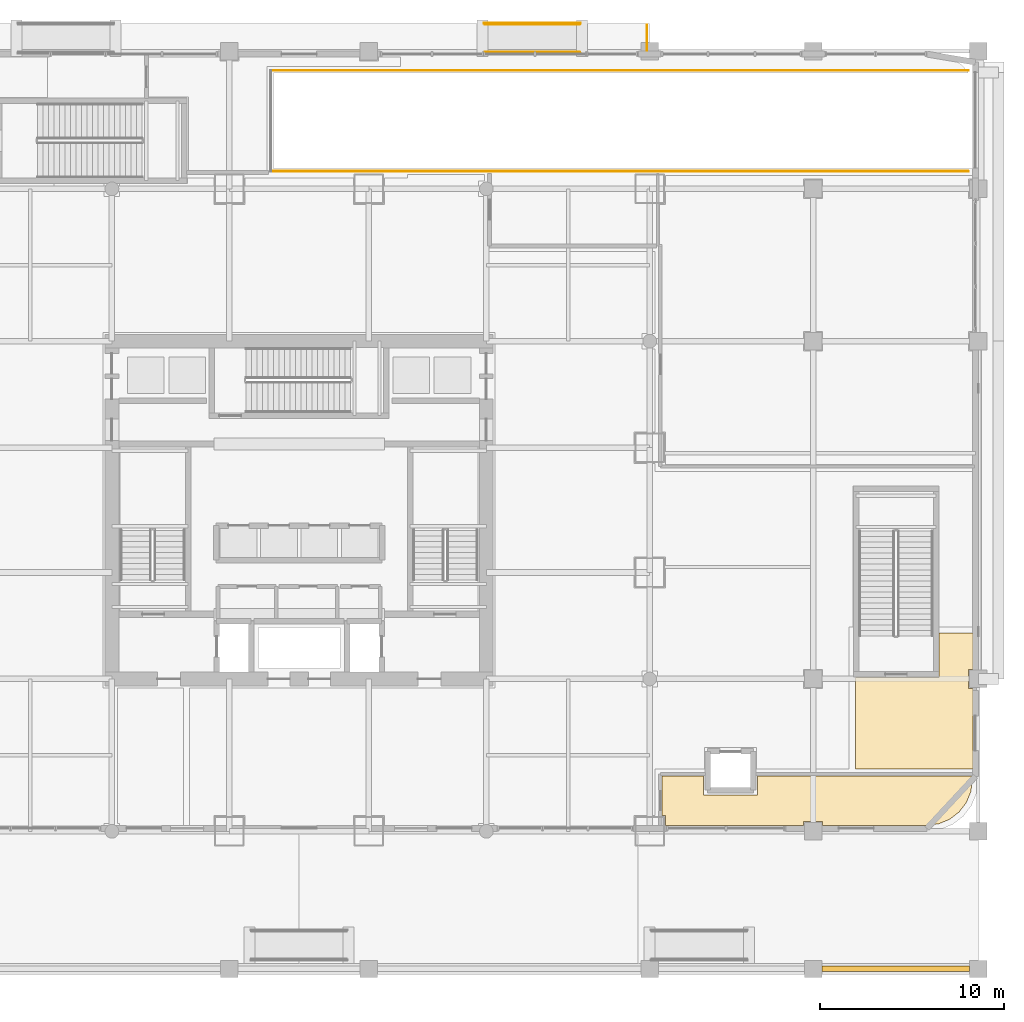
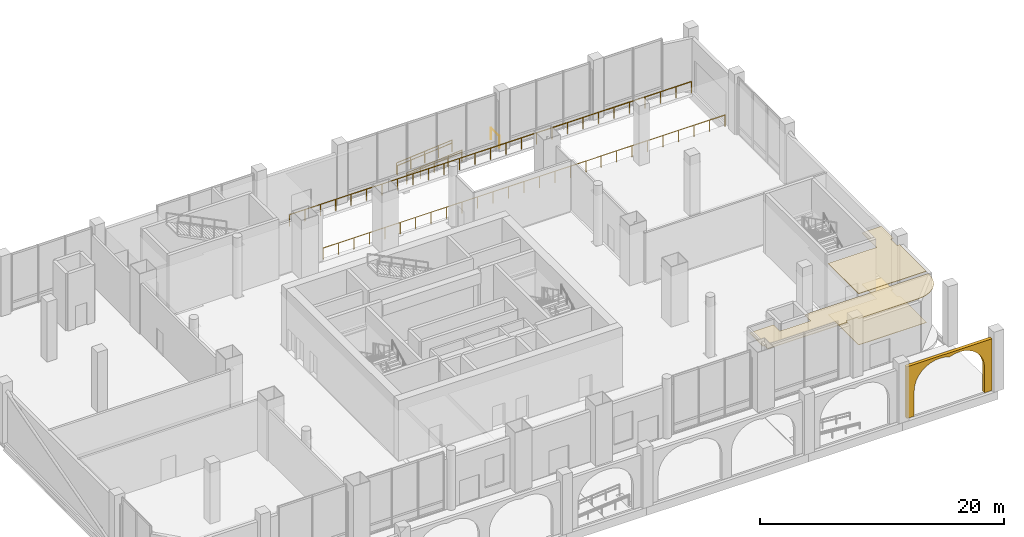
# One storey, part 30 of 32: 7 railings, 4 coverings.
"""IFC4 building model written with IfcOpenShell, lengths in metres."""

from ifc_helpers import new_model, si_unit, direction, frame, origin, origin_2d, place, context, subcontext, project, spatial, polyline, circle, outline, extrude, material, layer, layer_set, type_object, element, save


model = new_model("IFC4")

# Units and contexts
model_context = context("Model", 3, precision=1e-05, world=origin(), true_north=direction((0.0, 1.0)))
body_context = subcontext(model_context, "Body", "Model", "MODEL_VIEW")
ifc_project = project(units=[si_unit("LENGTHUNIT", "METRE"), si_unit("AREAUNIT", "SQUARE_METRE"), si_unit("VOLUMEUNIT", "CUBIC_METRE"), si_unit("PLANEANGLEUNIT", "RADIAN"), si_unit("MASSUNIT", "GRAM", prefix="KILO")], contexts=[model_context])

# Site, building, storey
site_placement = place(None, origin())
site = spatial("IfcSite", under=ifc_project, at=site_placement, CompositionType="ELEMENT")
building_placement = place(site_placement, origin())
building = spatial("IfcBuilding", under=site, at=building_placement, Name="Punatoya Terracotta Tower", CompositionType="ELEMENT")
storey_placement = place(building_placement, origin())
storey = spatial("IfcBuildingStorey", under=building, at=storey_placement, Name="L00", CompositionType="ELEMENT", Elevation=0.0)

# Coverings
ifc_material_1 = material(Name="Architectural Fired Terracotta Rainscreen", Category="masonry")
ifc_layer_1 = layer(ifc_material_1, 0.300048828125)
ifc_layer_set_1 = layer_set([ifc_layer_1], Name="Architectural Fired Terracotta Rainscreen")
covering_type_1 = type_object("IfcCoveringType", Name="COV-ARC-300", PredefinedType="CLADDING", material=ifc_layer_set_1)
covering_1_placement = place(storey_placement, frame((28.47509765625, -25.0, 0.0), z_axis=(0.0, 0.0, 1.0), x_axis=(1.0, 0.0, 0.0)))
element("IfcCovering", 1, at=covering_1_placement, inside=storey, type_object=covering_type_1, Name="L00 Waterfront Arcade Pointed-Arch Spandrel Panel 07", PredefinedType="CLADDING", context=body_context, shape_type="SweptSolid", body=[
    extrude(outline(polyline([(0.0, 0.0), (0.699951171875, 0.0), (0.699951171875, 2.550048828125), (0.746337890625, 3.018310546875), (0.883544921875, 3.46875), (1.1064453125, 3.88330078125), (1.40625, 4.246337890625), (1.771240234375, 4.54345703125), (2.1875, 4.76318359375), (2.638916015625, 4.897216796875), (3.107666015625, 4.940185546875), (3.57568359375, 4.890380859375), (4.02490234375, 4.75), (4.474365234375, 4.890380859375), (4.9423828125, 4.940185546875), (5.4111328125, 4.897216796875), (5.8623046875, 4.76318359375), (6.27880859375, 4.54345703125), (6.643798828125, 4.246337890625), (6.943603515625, 3.88330078125), (7.16650390625, 3.46875), (7.3037109375, 3.018310546875), (7.35009765625, 2.550048828125), (7.35009765625, 0.0), (8.050048828125, 0.0), (8.050048828125, 5.169921875), (0.0, 5.169921875), (0.0, 0.0)])), frame((0.0, 0.14990234375, 0.0), z_axis=(0.0, -1.0, 0.0), x_axis=(1.0, 0.0, 0.0)), (0.0, 0.0, 1.0), 0.300048828125),
])
ifc_material_2 = material(Name="Acoustic Mineral Fibre Ceiling")
ifc_layer_2 = layer(ifc_material_2, 0.06005859375)
ifc_layer_set_2 = layer_set([ifc_layer_2], Name="Acoustic Mineral Fibre Ceiling")
covering_type_2 = type_object("IfcCoveringType", Name="COV-CEIL-60", PredefinedType="CEILING", material=ifc_layer_set_2)
covering_2_placement = place(storey_placement, frame((0.0, 0.0, 5.110107421875)))
element("IfcCovering", 2, at=covering_2_placement, inside=storey, type_object=covering_type_2, Name="L00 Protected Exit Discharge Passageway ST-P2 Acoustic Ceiling", PredefinedType="CEILING", context=body_context, shape_type="SweptSolid", body=[
    extrude(outline(polyline([(36.719970703125, -14.10009765625), (36.719970703125, -9.72509765625), (36.47509765625, -9.72509765625), (36.47509765625, -8.675048828125), (36.719970703125, -8.675048828125), (36.719970703125, -6.699951171875), (34.8701171875, -6.699951171875), (34.8701171875, -9.1201171875), (30.300048828125, -9.1201171875), (30.300048828125, -14.10009765625), (36.719970703125, -14.10009765625)])), origin(), (0.0, 0.0, 1.0), 0.059814453125),
])
covering_3_placement = place(storey_placement, frame((0.0, 0.0, 5.110107421875)))
element("IfcCovering", 3, at=covering_3_placement, inside=storey, type_object=covering_type_2, Name="L00 Waterfront Banking and Visitor Reception Suite Acoustic Ceiling", PredefinedType="CEILING", context=body_context, shape_type="SweptSolid", body=[
    extrude(outline(polyline([(28.52490234375, -16.97509765625), (28.52490234375, -17.179931640625), (34.178955078125, -17.179931640625), (34.84130859375, -17.0927734375), (35.438720703125, -16.845458984375), (35.95166015625, -16.45166015625), (36.345458984375, -15.938720703125), (36.5927734375, -15.34130859375), (36.679931640625, -14.678955078125), (36.679931640625, -14.47998046875), (24.9599609375, -14.47998046875), (24.9599609375, -15.510009765625), (22.0400390625, -15.510009765625), (22.0400390625, -14.47998046875), (19.780029296875, -14.47998046875), (19.780029296875, -16.64990234375), (19.949951171875, -16.64990234375), (19.949951171875, -17.179931640625), (27.47509765625, -17.179931640625), (27.47509765625, -16.97509765625), (28.52490234375, -16.97509765625)])), origin(), (0.0, 0.0, 1.0), 0.059814453125),
])
ifc_material_3 = material(Name="Sandstone & Raised Access Flooring", Category="masonry")
ifc_layer_3 = layer(ifc_material_3, 0.080078125)
ifc_layer_set_3 = layer_set([ifc_layer_3], Name="Sandstone & Raised Access Flooring")
covering_type_3 = type_object("IfcCoveringType", Name="COV-FLR-80", PredefinedType="FLOORING", material=ifc_layer_set_3)
covering_4_placement = place(storey_placement, origin())
element("IfcCovering", 4, at=covering_4_placement, inside=storey, type_object=covering_type_3, Name="L00 Protected Exit Discharge Passageway ST-P2 Stone Floor Finish", PredefinedType="FLOORING", context=body_context, shape_type="SweptSolid", body=[
    extrude(outline(polyline([(36.719970703125, -14.10009765625), (36.719970703125, -9.72509765625), (36.47509765625, -9.72509765625), (36.47509765625, -8.675048828125), (36.719970703125, -8.675048828125), (36.719970703125, -6.699951171875), (34.8701171875, -6.699951171875), (34.8701171875, -9.1201171875), (30.300048828125, -9.1201171875), (30.300048828125, -14.10009765625), (36.719970703125, -14.10009765625)])), origin(), (0.0, 0.0, 1.0), 0.0400390625),
])

# Railings
ifc_material_4 = material(Name="Steel S355", Category="steel")
railing_type_1 = type_object("IfcRailingType", Name="RLG-GRD-1150", PredefinedType="GUARDRAIL", material=ifc_material_4)
railing_1_placement = place(storey_placement, frame((-1.550048828125, 18.449951171875, 0.0)))
element("IfcRailing", 5, at=railing_1_placement, inside=storey, type_object=railing_type_1, Name="L00 VR-2 Well South Deck Guard", PredefinedType="GUARDRAIL", context=body_context, shape_type="SweptSolid", body=[
    extrude(circle(Radius=0.02392578125, at=origin_2d()), frame((0.0, 0.0, 1.1259765625), z_axis=(1.0, 0.0, 0.0), x_axis=(0.0, 1.0, 0.0)), (0.0, 0.0, 1.0), 38.0),
    extrude(circle(Radius=0.02099609375, at=origin_2d()), origin(), (0.0, 0.0, 1.0), 1.101806640625),
    extrude(circle(Radius=0.02099609375, at=origin_2d()), frame((1.46142578125, 0.0, 0.0)), (0.0, 0.0, 1.0), 1.101806640625),
    extrude(circle(Radius=0.02099609375, at=origin_2d()), frame((2.923095703125, 0.0, 0.0)), (0.0, 0.0, 1.0), 1.101806640625),
    extrude(circle(Radius=0.02099609375, at=origin_2d()), frame((4.384521484375, 0.0, 0.0)), (0.0, 0.0, 1.0), 1.101806640625),
    extrude(circle(Radius=0.02099609375, at=origin_2d()), frame((5.84619140625, 0.0, 0.0)), (0.0, 0.0, 1.0), 1.101806640625),
    extrude(circle(Radius=0.02099609375, at=origin_2d()), frame((7.3076171875, 0.0, 0.0)), (0.0, 0.0, 1.0), 1.101806640625),
    extrude(circle(Radius=0.02099609375, at=origin_2d()), frame((8.769287109375, 0.0, 0.0)), (0.0, 0.0, 1.0), 1.101806640625),
    extrude(circle(Radius=0.02099609375, at=origin_2d()), frame((10.230712890625, 0.0, 0.0)), (0.0, 0.0, 1.0), 1.101806640625),
    extrude(circle(Radius=0.02099609375, at=origin_2d()), frame((11.6923828125, 0.0, 0.0)), (0.0, 0.0, 1.0), 1.101806640625),
    extrude(circle(Radius=0.02099609375, at=origin_2d()), frame((13.15380859375, 0.0, 0.0)), (0.0, 0.0, 1.0), 1.101806640625),
    extrude(circle(Radius=0.02099609375, at=origin_2d()), frame((14.615478515625, 0.0, 0.0)), (0.0, 0.0, 1.0), 1.101806640625),
    extrude(circle(Radius=0.02099609375, at=origin_2d()), frame((16.076904296875, 0.0, 0.0)), (0.0, 0.0, 1.0), 1.101806640625),
    extrude(circle(Radius=0.02099609375, at=origin_2d()), frame((17.53857421875, 0.0, 0.0)), (0.0, 0.0, 1.0), 1.101806640625),
    extrude(circle(Radius=0.02099609375, at=origin_2d()), frame((19.0, 0.0, 0.0)), (0.0, 0.0, 1.0), 1.101806640625),
    extrude(circle(Radius=0.02099609375, at=origin_2d()), frame((20.46142578125, 0.0, 0.0)), (0.0, 0.0, 1.0), 1.101806640625),
    extrude(circle(Radius=0.02099609375, at=origin_2d()), frame((21.923095703125, 0.0, 0.0)), (0.0, 0.0, 1.0), 1.101806640625),
    extrude(circle(Radius=0.02099609375, at=origin_2d()), frame((23.384521484375, 0.0, 0.0)), (0.0, 0.0, 1.0), 1.101806640625),
    extrude(circle(Radius=0.02099609375, at=origin_2d()), frame((24.84619140625, 0.0, 0.0)), (0.0, 0.0, 1.0), 1.101806640625),
    extrude(circle(Radius=0.02099609375, at=origin_2d()), frame((26.3076171875, 0.0, 0.0)), (0.0, 0.0, 1.0), 1.101806640625),
    extrude(circle(Radius=0.02099609375, at=origin_2d()), frame((27.769287109375, 0.0, 0.0)), (0.0, 0.0, 1.0), 1.101806640625),
    extrude(circle(Radius=0.02099609375, at=origin_2d()), frame((29.230712890625, 0.0, 0.0)), (0.0, 0.0, 1.0), 1.101806640625),
    extrude(circle(Radius=0.02099609375, at=origin_2d()), frame((30.6923828125, 0.0, 0.0)), (0.0, 0.0, 1.0), 1.101806640625),
    extrude(circle(Radius=0.02099609375, at=origin_2d()), frame((32.15380859375, 0.0, 0.0)), (0.0, 0.0, 1.0), 1.101806640625),
    extrude(circle(Radius=0.02099609375, at=origin_2d()), frame((33.615478515625, 0.0, 0.0)), (0.0, 0.0, 1.0), 1.101806640625),
    extrude(circle(Radius=0.02099609375, at=origin_2d()), frame((35.076904296875, 0.0, 0.0)), (0.0, 0.0, 1.0), 1.101806640625),
    extrude(circle(Radius=0.02099609375, at=origin_2d()), frame((36.53857421875, 0.0, 0.0)), (0.0, 0.0, 1.0), 1.101806640625),
    extrude(circle(Radius=0.02099609375, at=origin_2d()), frame((38.0, 0.0, 0.0)), (0.0, 0.0, 1.0), 1.101806640625),
])
railing_2_placement = place(storey_placement, frame((-1.550048828125, 23.949951171875, 0.0)))
element("IfcRailing", 6, at=railing_2_placement, inside=storey, type_object=railing_type_1, Name="L00 VR-2 Well North Deck Guard", PredefinedType="GUARDRAIL", context=body_context, shape_type="SweptSolid", body=[
    extrude(circle(Radius=0.02392578125, at=origin_2d()), frame((0.0, 0.0, 1.1259765625), z_axis=(1.0, 0.0, 0.0), x_axis=(0.0, 1.0, 0.0)), (0.0, 0.0, 1.0), 38.0),
    extrude(circle(Radius=0.02099609375, at=origin_2d()), origin(), (0.0, 0.0, 1.0), 1.101806640625),
    extrude(circle(Radius=0.02099609375, at=origin_2d()), frame((1.46142578125, 0.0, 0.0)), (0.0, 0.0, 1.0), 1.101806640625),
    extrude(circle(Radius=0.02099609375, at=origin_2d()), frame((2.923095703125, 0.0, 0.0)), (0.0, 0.0, 1.0), 1.101806640625),
    extrude(circle(Radius=0.02099609375, at=origin_2d()), frame((4.384521484375, 0.0, 0.0)), (0.0, 0.0, 1.0), 1.101806640625),
    extrude(circle(Radius=0.02099609375, at=origin_2d()), frame((5.84619140625, 0.0, 0.0)), (0.0, 0.0, 1.0), 1.101806640625),
    extrude(circle(Radius=0.02099609375, at=origin_2d()), frame((7.3076171875, 0.0, 0.0)), (0.0, 0.0, 1.0), 1.101806640625),
    extrude(circle(Radius=0.02099609375, at=origin_2d()), frame((8.769287109375, 0.0, 0.0)), (0.0, 0.0, 1.0), 1.101806640625),
    extrude(circle(Radius=0.02099609375, at=origin_2d()), frame((10.230712890625, 0.0, 0.0)), (0.0, 0.0, 1.0), 1.101806640625),
    extrude(circle(Radius=0.02099609375, at=origin_2d()), frame((11.6923828125, 0.0, 0.0)), (0.0, 0.0, 1.0), 1.101806640625),
    extrude(circle(Radius=0.02099609375, at=origin_2d()), frame((13.15380859375, 0.0, 0.0)), (0.0, 0.0, 1.0), 1.101806640625),
    extrude(circle(Radius=0.02099609375, at=origin_2d()), frame((14.615478515625, 0.0, 0.0)), (0.0, 0.0, 1.0), 1.101806640625),
    extrude(circle(Radius=0.02099609375, at=origin_2d()), frame((16.076904296875, 0.0, 0.0)), (0.0, 0.0, 1.0), 1.101806640625),
    extrude(circle(Radius=0.02099609375, at=origin_2d()), frame((17.53857421875, 0.0, 0.0)), (0.0, 0.0, 1.0), 1.101806640625),
    extrude(circle(Radius=0.02099609375, at=origin_2d()), frame((19.0, 0.0, 0.0)), (0.0, 0.0, 1.0), 1.101806640625),
    extrude(circle(Radius=0.02099609375, at=origin_2d()), frame((20.46142578125, 0.0, 0.0)), (0.0, 0.0, 1.0), 1.101806640625),
    extrude(circle(Radius=0.02099609375, at=origin_2d()), frame((21.923095703125, 0.0, 0.0)), (0.0, 0.0, 1.0), 1.101806640625),
    extrude(circle(Radius=0.02099609375, at=origin_2d()), frame((23.384521484375, 0.0, 0.0)), (0.0, 0.0, 1.0), 1.101806640625),
    extrude(circle(Radius=0.02099609375, at=origin_2d()), frame((24.84619140625, 0.0, 0.0)), (0.0, 0.0, 1.0), 1.101806640625),
    extrude(circle(Radius=0.02099609375, at=origin_2d()), frame((26.3076171875, 0.0, 0.0)), (0.0, 0.0, 1.0), 1.101806640625),
    extrude(circle(Radius=0.02099609375, at=origin_2d()), frame((27.769287109375, 0.0, 0.0)), (0.0, 0.0, 1.0), 1.101806640625),
    extrude(circle(Radius=0.02099609375, at=origin_2d()), frame((29.230712890625, 0.0, 0.0)), (0.0, 0.0, 1.0), 1.101806640625),
    extrude(circle(Radius=0.02099609375, at=origin_2d()), frame((30.6923828125, 0.0, 0.0)), (0.0, 0.0, 1.0), 1.101806640625),
    extrude(circle(Radius=0.02099609375, at=origin_2d()), frame((32.15380859375, 0.0, 0.0)), (0.0, 0.0, 1.0), 1.101806640625),
    extrude(circle(Radius=0.02099609375, at=origin_2d()), frame((33.615478515625, 0.0, 0.0)), (0.0, 0.0, 1.0), 1.101806640625),
    extrude(circle(Radius=0.02099609375, at=origin_2d()), frame((35.076904296875, 0.0, 0.0)), (0.0, 0.0, 1.0), 1.101806640625),
    extrude(circle(Radius=0.02099609375, at=origin_2d()), frame((36.53857421875, 0.0, 0.0)), (0.0, 0.0, 1.0), 1.101806640625),
    extrude(circle(Radius=0.02099609375, at=origin_2d()), frame((38.0, 0.0, 0.0)), (0.0, 0.0, 1.0), 1.101806640625),
])
for number, where, name in (
    (7, (10.080078125, 24.8798828125, -0.449951171875), "PR-4 Guardrail S"),
    (8, (10.080078125, 26.52001953125, -0.449951171875), "PR-4 Guardrail N"),
):
    element("IfcRailing", number, at=place(storey_placement, frame(where)), inside=storey, type_object=railing_type_1, Name=name, PredefinedType="GUARDRAIL", context=body_context, shape_type="SweptSolid", body=[
        extrude(circle(Radius=0.02392578125, at=origin_2d()), frame((0.0, 0.0, 1.1259765625), z_axis=(0.996333546167, 0.0, 0.085553870642), x_axis=(0.0, 1.0, 0.0)), (0.0, 0.0, 1.0), 5.25927734375),
        extrude(circle(Radius=0.02099609375, at=origin_2d()), origin(), (0.0, 0.0, 1.0), 1.101806640625),
        extrude(circle(Radius=0.02099609375, at=origin_2d()), frame((1.31005859375, 0.0, 0.112548828125)), (0.0, 0.0, 1.0), 1.101806640625),
        extrude(circle(Radius=0.02099609375, at=origin_2d()), frame((2.6201171875, 0.0, 0.22509765625)), (0.0, 0.0, 1.0), 1.101806640625),
        extrude(circle(Radius=0.02099609375, at=origin_2d()), frame((3.929931640625, 0.0, 0.33740234375)), (0.0, 0.0, 1.0), 1.101806640625),
        extrude(circle(Radius=0.02099609375, at=origin_2d()), frame((5.239990234375, 0.0, 0.449951171875)), (0.0, 0.0, 1.0), 1.101806640625),
    ])
railing_3_placement = place(storey_placement, frame((18.949951171875, 25.050048828125, 0.0)))
element("IfcRailing", 9, at=railing_3_placement, inside=storey, type_object=railing_type_1, Name="L00 North Forecourt E Edge Guard", PredefinedType="GUARDRAIL", context=body_context, shape_type="SweptSolid", body=[
    extrude(circle(Radius=0.02392578125, at=origin_2d()), frame((0.0, 0.0, 1.1259765625), z_axis=(0.0, 1.0, 0.0), x_axis=(-1.0, 0.0, 0.0)), (0.0, 0.0, 1.0), 1.369873046875),
    extrude(circle(Radius=0.02099609375, at=origin_2d()), origin(), (0.0, 0.0, 1.0), 1.101806640625),
    extrude(circle(Radius=0.02099609375, at=origin_2d()), frame((0.0, 1.369873046875, 0.0)), (0.0, 0.0, 1.0), 1.101806640625),
])
railing_type_2 = type_object("IfcRailingType", Name="RLG-HND-900", PredefinedType="HANDRAIL", material=ifc_material_4)
for number, where, name in (
    (10, (10.1201171875, 24.93994140625, -0.449951171875), "PR-4 Handrail S"),
    (11, (10.1201171875, 26.4599609375, -0.449951171875), "PR-4 Handrail N"),
):
    element("IfcRailing", number, at=place(storey_placement, frame(where)), inside=storey, type_object=railing_type_2, Name=name, PredefinedType="HANDRAIL", context=body_context, shape_type="SweptSolid", body=[
        extrude(circle(Radius=0.02392578125, at=origin_2d()), frame((0.0, 0.0, 0.8759765625), z_axis=(0.996219511194, 0.0, 0.086871661184), x_axis=(0.0, 1.0, 0.0)), (0.0, 0.0, 1.0), 5.179443359375),
        extrude(circle(Radius=0.02099609375, at=origin_2d()), origin(), (0.0, 0.0, 1.0), 0.851806640625),
        extrude(circle(Radius=0.02099609375, at=origin_2d()), frame((1.2900390625, 0.0, 0.112548828125)), (0.0, 0.0, 1.0), 0.851806640625),
        extrude(circle(Radius=0.02099609375, at=origin_2d()), frame((2.580078125, 0.0, 0.22509765625)), (0.0, 0.0, 1.0), 0.851806640625),
        extrude(circle(Radius=0.02099609375, at=origin_2d()), frame((3.869873046875, 0.0, 0.33740234375)), (0.0, 0.0, 1.0), 0.851806640625),
        extrude(circle(Radius=0.02099609375, at=origin_2d()), frame((5.159912109375, 0.0, 0.449951171875)), (0.0, 0.0, 1.0), 0.851806640625),
    ])

save(model, "model.ifc")
